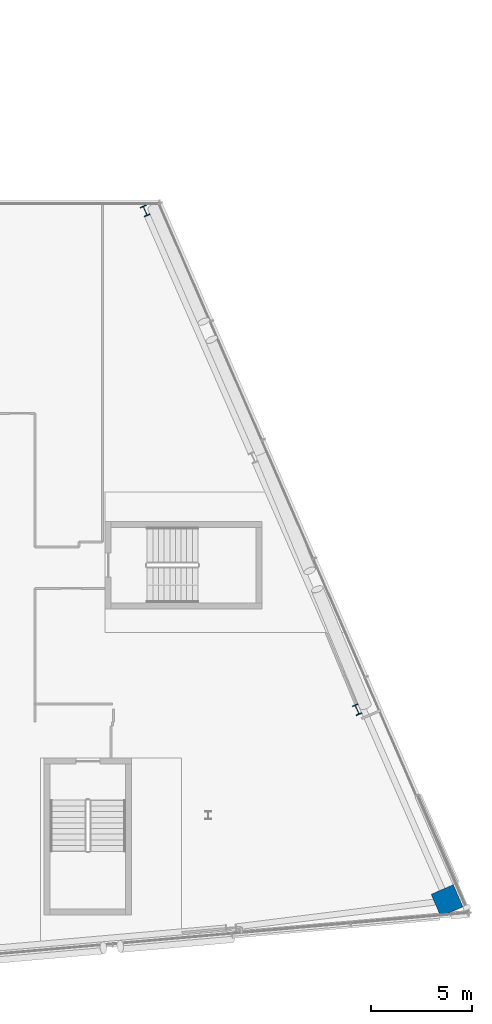
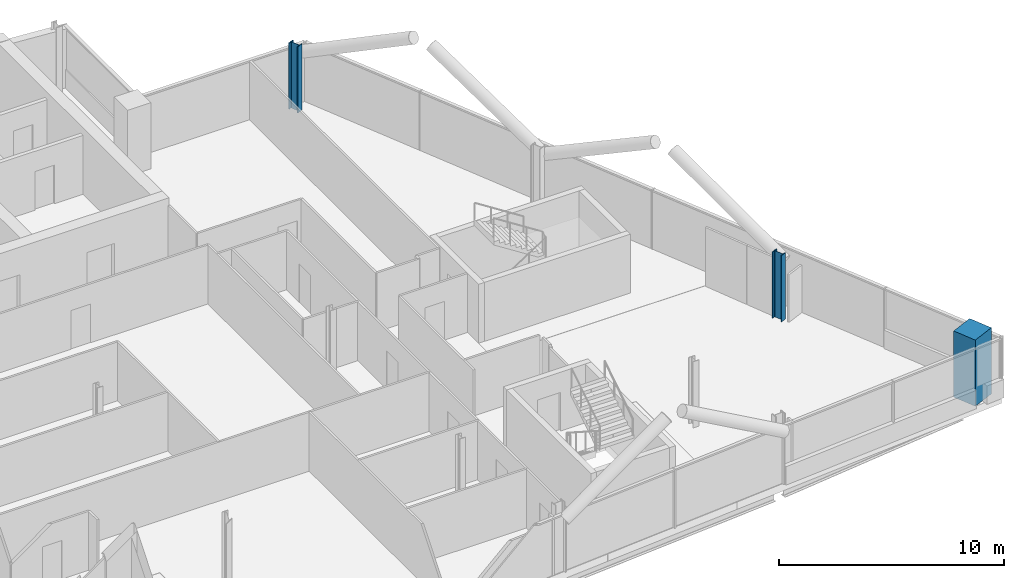
# One storey, part 4 of 25: 3 columns.
"""IFC4 building model written with IfcOpenShell, lengths in metres."""

from ifc_helpers import new_model, si_unit, direction, frame, origin, origin_2d, place, context, subcontext, project, spatial, rectangle, i_section, extrude, material, material_profile, profile_set, type_object, element, save


model = new_model("IFC4")

# Units and contexts
model_context = context("Model", 3, precision=1e-05, world=origin(), true_north=direction((0.0, 1.0)))
body_context = subcontext(model_context, "Body", "Model", "MODEL_VIEW")
ifc_project = project(units=[si_unit("LENGTHUNIT", "METRE"), si_unit("AREAUNIT", "SQUARE_METRE"), si_unit("VOLUMEUNIT", "CUBIC_METRE"), si_unit("PLANEANGLEUNIT", "RADIAN"), si_unit("MASSUNIT", "GRAM", prefix="KILO")], contexts=[model_context])

# Site, building, storey
site_placement = place(None, origin())
site = spatial("IfcSite", under=ifc_project, at=site_placement, CompositionType="ELEMENT")
building_placement = place(site_placement, origin())
building = spatial("IfcBuilding", under=site, at=building_placement, Name="Wharfspan Tower", CompositionType="ELEMENT")
storey_placement = place(building_placement, frame((0.0, 0.0, 225.100098)))
storey = spatial("IfcBuildingStorey", under=building, at=storey_placement, Name="L56", CompositionType="ELEMENT", Elevation=225.100098)

# Columns
ifc_material_1 = material(Name="Steel S355J2", Category="steel")
ifc_material_profile_1 = material_profile(ifc_material_1, i_section(OverallWidth=0.305908, OverallDepth=0.523926, WebThickness=0.020996, FlangeThickness=0.040039, FilletRadius=0.0271, at=origin_2d()))
ifc_profile_set_1 = profile_set([ifc_material_profile_1], Name="Steel S355J2")
column_type_1 = type_object("IfcColumnType", Name="Column HEM 500", PredefinedType="COLUMN", material=ifc_profile_set_1)
for number, where, z_axis, x_axis, name in (
    (1, (79.409668, 16.761719, 0.0), (0.0, 0.0, 1.0), (0.917072, 0.398727, 0.0), "Perimeter column PE.1 L56"),
    (2, (68.867188, 41.572266, 0.0), (0.0, 0.0, 1.0), (0.917072, 0.398727, 0.0), "Perimeter column PE.3 L56"),
):
    element("IfcColumn", number, at=place(storey_placement, frame(where, z_axis=z_axis, x_axis=x_axis)), inside=storey, type_object=column_type_1, Name=name, PredefinedType="COLUMN", context=body_context, shape_type="SweptSolid", body=[
        extrude(i_section(OverallWidth=0.305908, OverallDepth=0.523926, WebThickness=0.020996, FlangeThickness=0.040039, FilletRadius=0.0271, at=origin_2d()), origin(), (0.0, 0.0, 1.0), 3.599854),
    ])
ifc_material_2 = material(Name="Concrete C50/60", Category="concrete")
ifc_material_profile_2 = material_profile(ifc_material_2, rectangle(XDim=1.199951, YDim=1.199951, at=origin_2d()))
ifc_profile_set_2 = profile_set([ifc_material_profile_2], Name="Concrete C50/60")
column_type_2 = type_object("IfcColumnType", Name="Mega column 1200 C50/60", PredefinedType="COLUMN", material=ifc_profile_set_2)
column_placement = place(storey_placement, frame((83.882812, 7.264648, 0.0), z_axis=(0.0, 0.0, 1.0), x_axis=(-0.398727, 0.917072, 0.0)))
element("IfcColumn", 3, at=column_placement, inside=storey, type_object=column_type_2, Name="Mega column MC4 L56", PredefinedType="COLUMN", context=body_context, shape_type="SweptSolid", body=[
    extrude(rectangle(XDim=1.199951, YDim=1.199951, at=origin_2d()), origin(), (0.0, 0.0, 1.0), 3.599854),
])

save(model, "model.ifc")
